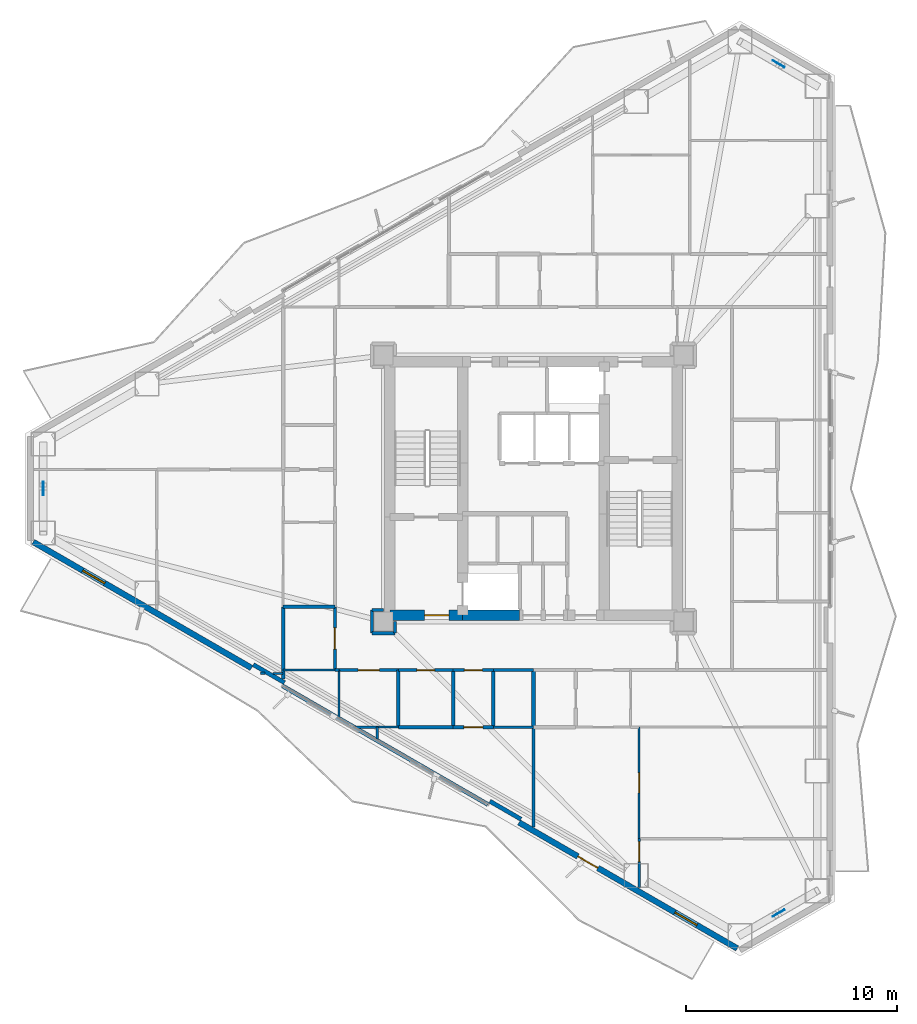
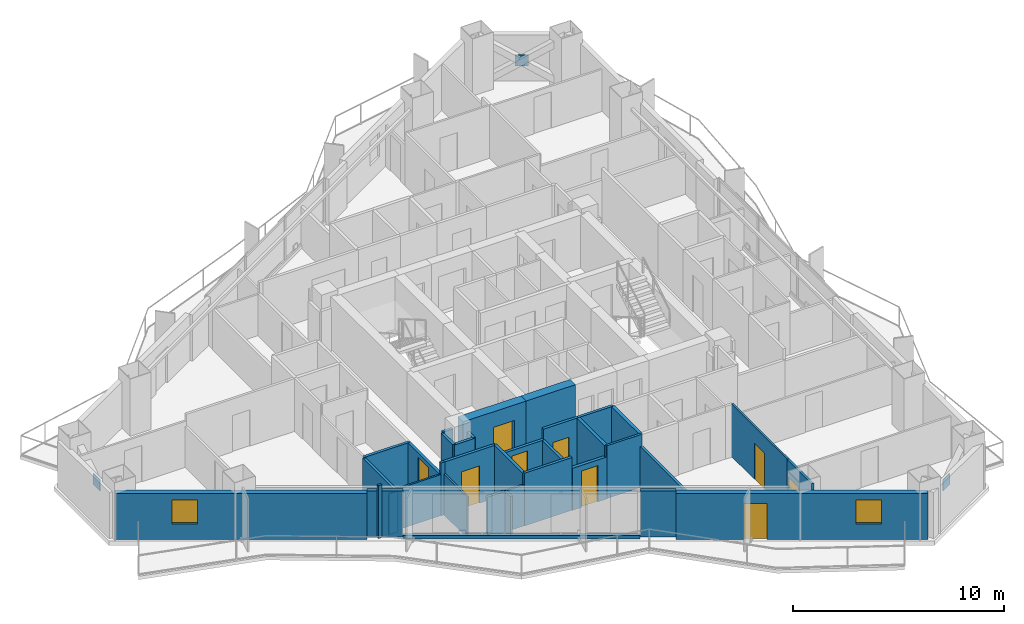
# One storey, part 15 of 23: 36 walls, 9 doors, 3 plates, 2 windows, 11 openings.
"""IFC4 building model written with IfcOpenShell, lengths in metres."""

from ifc_helpers import new_model, si_unit, direction, frame, frame_2d, origin, origin_2d, place, context, subcontext, project, spatial, rectangle, extrude, material, layer, layer_set, type_object, element, fill, save


model = new_model("IFC4")

# Units and contexts
model_context = context("Model", 3, precision=1e-05, world=origin(), true_north=direction((0.0, 1.0)))
body_context = subcontext(model_context, "Body", "Model", "MODEL_VIEW")
ifc_project = project(units=[si_unit("LENGTHUNIT", "METRE"), si_unit("AREAUNIT", "SQUARE_METRE"), si_unit("VOLUMEUNIT", "CUBIC_METRE"), si_unit("PLANEANGLEUNIT", "RADIAN"), si_unit("MASSUNIT", "GRAM", prefix="KILO")], contexts=[model_context])

# Site, building, storey
site_placement = place(None, origin())
site = spatial("IfcSite", under=ifc_project, at=site_placement, CompositionType="ELEMENT")
building_placement = place(site_placement, origin())
building = spatial("IfcBuilding", under=site, at=building_placement, Name="Mersakhor Tower and Convention Hall", CompositionType="ELEMENT")
storey_placement = place(building_placement, frame((0.0, 0.0, 73.5)))
storey = spatial("IfcBuildingStorey", under=building, at=storey_placement, Name="L19", CompositionType="ELEMENT", Elevation=73.5)

# Plates
ifc_material_1 = material(Name="Steel S460", Category="steel")
ifc_layer_1 = layer(ifc_material_1, 0.0400390625)
ifc_layer_set_1 = layer_set([ifc_layer_1], Name="Steel S460")
plate_type = type_object("IfcPlateType", Name="PL-GUSSET-40", PredefinedType="SHEET", material=ifc_layer_set_1)
for number, where, z_axis, x_axis, name in (
    (1, (40.606689453125, 46.853515625, 1.205078125), (0.0, 0.0, 1.0), (-0.866025403784, 0.5, 0.0), "L19 X-Brace Crossing Gusset Node Plate"),
    (2, (40.606689453125, 6.646728515625, 1.205078125), (0.0, 0.0, 1.0), (0.866025403784, 0.5, 0.0), "L19 X-Brace Crossing Gusset Node Plate"),
    (3, (5.78662109375, 26.75, 1.205078125), (0.0, 0.0, 1.0), (0.0, -1.0, 0.0), "L19 X-Brace Crossing Gusset Node Plate"),
):
    element("IfcPlate", number, at=place(storey_placement, frame(where, z_axis=z_axis, x_axis=x_axis)), inside=storey, type_object=plate_type, Name=name, PredefinedType="SHEET", context=body_context, shape_type="SweptSolid", body=[
        extrude(rectangle(XDim=0.639892578125, YDim=0.0400390625, at=origin_2d()), origin(), (0.0, 0.0, 1.0), 0.639892578125),
    ])

# Wall, openings, door, window
ifc_material_2 = material(Name="Precast concrete C45/55", Category="concrete")
ifc_layer_2 = layer(ifc_material_2, 0.27490234375)
ifc_layer_set_2 = layer_set([ifc_layer_2], Name="Precast concrete C45/55")
wall_type_1 = type_object("IfcWallType", Name="WL-EXT-275", PredefinedType="SOLIDWALL", material=ifc_layer_set_2)
wall_1_placement = place(storey_placement, frame((38.648681640625, 4.973388671875, 0.0), z_axis=(0.0, 0.0, 1.0), x_axis=(-0.866023023012, 0.500004123596, 0.0)))
wall_1 = element("IfcWall", 4, at=wall_1_placement, inside=storey, type_object=wall_type_1, Name="L19 Exterior Facade Wall F3-B1", PredefinedType="SOLIDWALL", context=body_context, shape_type="SweptSolid", body=[
    extrude(rectangle(XDim=11.9296875, YDim=0.27490234375, at=frame_2d((5.96484375, 0.0))), origin(), (0.0, 0.0, 1.0), 2.669921875),
])
opening_1_placement = place(wall_1_placement, frame((7.615966796875, 0.0, 0.0)))
opening_1 = element("IfcOpeningElement", 5, at=opening_1_placement, cuts=wall_1, Name="Opening BD-02", PredefinedType="OPENING", context=body_context, shape_type="SweptSolid", body=[
    extrude(rectangle(XDim=1.10009765625, YDim=2.10009765625, at=frame_2d((0.550048828125, 1.050048828125))), frame((0.0, 0.1474609375, 0.0), z_axis=(0.0, -1.0, 0.0), x_axis=(1.0, 0.0, 0.0)), (0.0, 0.0, 1.0), 0.294921875),
])
opening_2_placement = place(wall_1_placement, frame((2.20703125, 0.0, 0.89990234375)))
opening_2 = element("IfcOpeningElement", 6, at=opening_2_placement, cuts=wall_1, Name="Opening W-01", PredefinedType="OPENING", context=body_context, shape_type="SweptSolid", body=[
    extrude(rectangle(XDim=1.199951171875, YDim=1.39990234375, at=frame_2d((0.60009765625, 0.699951171875))), frame((0.0, 0.1474609375, 0.0), z_axis=(0.0, -1.0, 0.0), x_axis=(1.0, 0.0, 0.0)), (0.0, 0.0, 1.0), 0.294921875),
])
ifc_material_3 = material(Name="Thermally broken dark aluminium and safety glass", Category="aluminium")
door_type_1 = type_object("IfcDoorType", Name="DR-BAL-110x210", OperationType="NOTDEFINED", PredefinedType="DOOR", material=ifc_material_3)
door_1_placement = place(opening_1_placement, origin())
door_1 = element("IfcDoor", 7, at=door_1_placement, inside=storey, type_object=door_type_1, Name="L19 Balcony Terrace Door F3-B1", OperationType="SINGLE_SWING_RIGHT", OverallHeight=2.10009765625, OverallWidth=1.10009765625, PredefinedType="DOOR", context=body_context, shape_type="SweptSolid", body=[
    extrude(rectangle(XDim=1.10009765625, YDim=2.10009765625, at=frame_2d((0.550048828125, 1.050048828125))), frame((0.0, 0.02490234375, 0.0), z_axis=(0.0, -1.0, 0.0), x_axis=(1.0, 0.0, 0.0)), (0.0, 0.0, 1.0), 0.050048828125),
])
fill(opening_1, door_1)
ifc_material_4 = material(Name="Dark solar low-E glazed aluminium window", Category="aluminium")
window_type = type_object("IfcWindowType", Name="WN-RES-120x150", PartitioningType="SINGLE_PANEL", PredefinedType="WINDOW", material=ifc_material_4)
window_1_placement = place(opening_2_placement, origin())
window_1 = element("IfcWindow", 8, at=window_1_placement, inside=storey, type_object=window_type, Name="L19 Bedroom Facade Window F3-B1-1", OverallHeight=1.39990234375, OverallWidth=1.199951171875, PartitioningType="SINGLE_PANEL", PredefinedType="WINDOW", context=body_context, shape_type="SweptSolid", body=[
    extrude(rectangle(XDim=1.199951171875, YDim=1.39990234375, at=frame_2d((0.60009765625, 0.699951171875))), frame((0.0, 0.030029296875, 0.0), z_axis=(0.0, -1.0, 0.0), x_axis=(1.0, 0.0, 0.0)), (0.0, 0.0, 1.0), 0.06005859375),
])
fill(opening_2, window_1)

# Wall, opening, window
wall_2_placement = place(storey_placement, frame((15.64794921875, 18.2529296875, 0.0), z_axis=(0.0, 0.0, 1.0), x_axis=(-0.866023023012, 0.500004123596, 0.0)))
wall_2 = element("IfcWall", 9, at=wall_2_placement, inside=storey, type_object=wall_type_1, Name="L19 Exterior Facade Wall F3-B3", PredefinedType="SOLIDWALL", context=body_context, shape_type="SweptSolid", body=[
    extrude(rectangle(XDim=11.9296875, YDim=0.27490234375, at=frame_2d((5.96484375, 0.0))), origin(), (0.0, 0.0, 1.0), 2.669921875),
])
opening_3_placement = place(wall_2_placement, frame((8.02099609375, 0.0, 0.89990234375)))
opening_3 = element("IfcOpeningElement", 10, at=opening_3_placement, cuts=wall_2, Name="Opening W-01", PredefinedType="OPENING", context=body_context, shape_type="SweptSolid", body=[
    extrude(rectangle(XDim=1.199951171875, YDim=1.39990234375, at=frame_2d((0.60009765625, 0.699951171875))), frame((0.0, 0.1474609375, 0.0), z_axis=(0.0, -1.0, 0.0), x_axis=(1.0, 0.0, 0.0)), (0.0, 0.0, 1.0), 0.294921875),
])
window_2_placement = place(opening_3_placement, origin())
window_2 = element("IfcWindow", 11, at=window_2_placement, inside=storey, type_object=window_type, Name="L19 Bedroom Facade Window F3-B3-1", OverallHeight=1.39990234375, OverallWidth=1.199951171875, PartitioningType="SINGLE_PANEL", PredefinedType="WINDOW", context=body_context, shape_type="SweptSolid", body=[
    extrude(rectangle(XDim=1.199951171875, YDim=1.39990234375, at=frame_2d((0.60009765625, 0.699951171875))), frame((0.0, 0.030029296875, 0.0), z_axis=(0.0, -1.0, 0.0), x_axis=(1.0, 0.0, 0.0)), (0.0, 0.0, 1.0), 0.06005859375),
])
fill(opening_3, window_2)

# Walls
ifc_material_5 = material(Name="Precast concrete C40/50", Category="concrete")
ifc_layer_3 = layer(ifc_material_5, 0.199951171875)
ifc_layer_set_3 = layer_set([ifc_layer_3], Name="Precast concrete C40/50")
wall_type_2 = type_object("IfcWallType", Name="WL-PAR-200", PredefinedType="PARAPET", material=ifc_layer_set_3)
wall_3_placement = place(storey_placement, frame((26.84521484375, 11.788330078125, 0.0), z_axis=(0.0, 0.0, 1.0), x_axis=(-0.866027010039, 0.499997217876, 0.0)))
element("IfcWall", 12, at=wall_3_placement, inside=storey, type_object=wall_type_2, Name="L19 Curtain Wall Upstand Sill F3-B2", PredefinedType="PARAPET", context=body_context, shape_type="SweptSolid", body=[
    extrude(rectangle(XDim=11.2294921875, YDim=0.199951171875, at=frame_2d((5.61474609375, 0.0))), origin(), (0.0, 0.0, 1.0), 0.199951171875),
])
wall_4_placement = place(storey_placement, frame((28.407470703125, 11.09423828125, 0.0), z_axis=(0.0, 0.0, 1.0), x_axis=(-0.86605165483, 0.499954529098, 0.0)))
element("IfcWall", 13, at=wall_4_placement, inside=storey, type_object=wall_type_2, Name="L19 Column Pier Cladding Wall F3-C1", PredefinedType="PARAPET", context=body_context, shape_type="SweptSolid", body=[
    extrude(rectangle(XDim=1.699951171875, YDim=0.199951171875, at=frame_2d((0.85009765625, 0.0))), origin(), (0.0, 0.0, 1.0), 2.669921875),
])
wall_5_placement = place(storey_placement, frame((17.210205078125, 17.558837890625, 0.0), z_axis=(0.0, 0.0, 1.0), x_axis=(-0.866025371046, 0.500000056704, 0.0)))
element("IfcWall", 14, at=wall_5_placement, inside=storey, type_object=wall_type_2, Name="L19 Column Pier Cladding Wall F3-C2", PredefinedType="PARAPET", context=body_context, shape_type="SweptSolid", body=[
    extrude(rectangle(XDim=1.7001953125, YDim=0.199951171875, at=frame_2d((0.85009765625, 0.0))), origin(), (0.0, 0.0, 1.0), 2.669921875),
])

# Wall, opening, door
ifc_material_6 = material(Name="Moisture-resistant acoustic drywall studwork", Category="other")
ifc_layer_4 = layer(ifc_material_6, 0.175048828125)
ifc_layer_set_4 = layer_set([ifc_layer_4], Name="Moisture-resistant acoustic drywall studwork")
wall_type_3 = type_object("IfcWallType", Name="WL-PLM-175", PredefinedType="PLUMBINGWALL", material=ifc_layer_set_4)
wall_6_placement = place(storey_placement, frame((27.10009765625, 15.449951171875, 0.0), z_axis=(0.0, 0.0, 1.0), x_axis=(-1.0, 0.0, 0.0)))
wall_6 = element("IfcWall", 15, at=wall_6_placement, inside=storey, type_object=wall_type_3, Name="L19 Interior Partition Wall P-086", PredefinedType="PLUMBINGWALL", context=body_context, shape_type="SweptSolid", body=[
    extrude(rectangle(XDim=1.900146484375, YDim=0.175048828125, at=frame_2d((0.9501953125, 0.0))), origin(), (0.0, 0.0, 1.0), 2.4228515625),
])
opening_4_placement = place(wall_6_placement, frame((0.5, 0.0, 0.0)))
opening_4 = element("IfcOpeningElement", 16, at=opening_4_placement, cuts=wall_6, Name="Opening WD-01", PredefinedType="OPENING", context=body_context, shape_type="SweptSolid", body=[
    extrude(rectangle(XDim=0.89990234375, YDim=2.10009765625, at=frame_2d((0.449951171875, 1.050048828125))), frame((0.0, 0.097412109375, 0.0), z_axis=(0.0, -1.0, 0.0), x_axis=(1.0, 0.0, 0.0)), (0.0, 0.0, 1.0), 0.195068359375),
])
ifc_material_7 = material(Name="Solid-core hardwood leaf in painted steel frame", Category="steel")
door_type_2 = type_object("IfcDoorType", Name="DR-INT-WET-090x210", OperationType="NOTDEFINED", PredefinedType="DOOR", material=ifc_material_7)
door_2_placement = place(opening_4_placement, origin())
door_2 = element("IfcDoor", 17, at=door_2_placement, inside=storey, type_object=door_type_2, Name="L19 L19 Floor Shared Restroom WC 2-2 to L19 Floor Residents Study Room 2-4 Door", OperationType="SINGLE_SWING_LEFT", OverallHeight=2.10009765625, OverallWidth=0.89990234375, PredefinedType="DOOR", context=body_context, shape_type="SweptSolid", body=[
    extrude(rectangle(XDim=0.89990234375, YDim=2.10009765625, at=frame_2d((0.449951171875, 1.050048828125))), frame((0.0, 0.02490234375, 0.0), z_axis=(0.0, -1.0, 0.0), x_axis=(1.0, 0.0, 0.0)), (0.0, 0.0, 1.0), 0.050048828125),
])
fill(opening_4, door_2)

# Walls
for number, where, z_axis, x_axis, name in (
    (18, (27.10009765625, 18.14990234375, 0.0), (0.0, 0.0, 1.0), (0.0, -1.0, 0.0), "L19 Interior Partition Wall P-088"),
    (19, (29.0, 15.449951171875, 0.0), (0.0, 0.0, 1.0), (0.0, 1.0, 0.0), "L19 Interior Partition Wall P-090"),
):
    element("IfcWall", number, at=place(storey_placement, frame(where, z_axis=z_axis, x_axis=x_axis)), inside=storey, type_object=wall_type_3, Name=name, PredefinedType="PLUMBINGWALL", context=body_context, shape_type="SweptSolid", body=[
        extrude(rectangle(XDim=2.699951171875, YDim=0.175048828125, at=frame_2d((1.35009765625, 0.0))), origin(), (0.0, 0.0, 1.0), 3.050048828125),
    ])
ifc_material_8 = material(Name="Lightweight gypsum partition", Category="other")
ifc_layer_5 = layer(ifc_material_8, 0.10009765625)
ifc_layer_set_5 = layer_set([ifc_layer_5], Name="Lightweight gypsum partition")
wall_type_4 = type_object("IfcWallType", Name="WL-PRT-100", PredefinedType="PARTITIONING", material=ifc_layer_set_5)
wall_7_placement = place(storey_placement, frame((19.60009765625, 18.14990234375, 0.0), z_axis=(0.0, 0.0, 1.0), x_axis=(-1.0, 0.0, 0.0)))
element("IfcWall", 20, at=wall_7_placement, inside=storey, type_object=wall_type_4, Name="L19 Interior Partition Wall P-108", PredefinedType="PARTITIONING", context=body_context, shape_type="SweptSolid", body=[
    extrude(rectangle(XDim=2.4501953125, YDim=0.10009765625, at=frame_2d((1.22509765625, 0.0))), origin(), (0.0, 0.0, 1.0), 2.364990234375),
])
wall_8_placement = place(storey_placement, frame((22.60009765625, 15.449951171875, 0.0), z_axis=(0.0, 0.0, 1.0), x_axis=(-1.0, 0.0, 0.0)))
element("IfcWall", 21, at=wall_8_placement, inside=storey, type_object=wall_type_4, Name="L19 Interior Partition Wall P-122", PredefinedType="PARTITIONING", context=body_context, shape_type="SweptSolid", body=[
    extrude(rectangle(XDim=1.0, YDim=0.10009765625, at=frame_2d((0.5, 0.0))), origin(), (0.0, 0.0, 1.0), 2.364990234375),
])
wall_9_placement = place(storey_placement, frame((19.800048828125, 15.8974609375, 0.0), z_axis=(0.0, 0.0, 1.0), x_axis=(0.0, 1.0, 0.0)))
element("IfcWall", 22, at=wall_9_placement, inside=storey, type_object=wall_type_4, Name="L19 Interior Partition Wall P-124", PredefinedType="PARTITIONING", context=body_context, shape_type="SweptSolid", body=[
    extrude(rectangle(XDim=2.25244140625, YDim=0.10009765625, at=frame_2d((1.126220703125, 0.0))), origin(), (0.0, 0.0, 1.0), 2.364990234375),
])

# Wall, opening, door
wall_10_placement = place(storey_placement, frame((34.0, 15.449951171875, 0.0), z_axis=(0.0, 0.0, 1.0), x_axis=(0.0, -1.0, 0.0)))
wall_10 = element("IfcWall", 23, at=wall_10_placement, inside=storey, type_object=wall_type_4, Name="L19 Interior Partition Wall P-128", PredefinedType="PARTITIONING", context=body_context, shape_type="SweptSolid", body=[
    extrude(rectangle(XDim=5.280029296875, YDim=0.10009765625, at=frame_2d((2.64013671875, 0.0))), origin(), (0.0, 0.0, 1.0), 3.050048828125),
])
opening_5_placement = place(wall_10_placement, frame((2.1650390625, 0.0, 0.0)))
opening_5 = element("IfcOpeningElement", 24, at=opening_5_placement, cuts=wall_10, Name="Opening RD-01", PredefinedType="OPENING", context=body_context, shape_type="SweptSolid", body=[
    extrude(rectangle(XDim=0.949951171875, YDim=2.10009765625, at=frame_2d((0.47509765625, 1.050048828125))), frame((0.0, 0.06005859375, 0.0), z_axis=(0.0, -1.0, 0.0), x_axis=(1.0, 0.0, 0.0)), (0.0, 0.0, 1.0), 0.1201171875),
])
ifc_material_9 = material(Name="Solid-core hardwood leaf in painted steel frame", Category="steel")
door_type_3 = type_object("IfcDoorType", Name="DR-INT-RM-095x210", OperationType="NOTDEFINED", PredefinedType="DOOR", material=ifc_material_9)
door_3_placement = place(opening_5_placement, origin())
door_3 = element("IfcDoor", 25, at=door_3_placement, inside=storey, type_object=door_type_3, Name="L19 L19 Flat S3 Living and Dining Room to L19 Flat S3 Dining Room Door", OperationType="SINGLE_SWING_RIGHT", OverallHeight=2.10009765625, OverallWidth=0.949951171875, PredefinedType="DOOR", context=body_context, shape_type="SweptSolid", body=[
    extrude(rectangle(XDim=0.949951171875, YDim=2.10009765625, at=frame_2d((0.47509765625, 1.050048828125))), frame((0.0, 0.02490234375, 0.0), z_axis=(0.0, -1.0, 0.0), x_axis=(1.0, 0.0, 0.0)), (0.0, 0.0, 1.0), 0.050048828125),
])
fill(opening_5, door_3)

# Walls
wall_11_placement = place(storey_placement, frame((17.14990234375, 18.0, 0.0), z_axis=(0.0, 0.0, 1.0), x_axis=(-1.0, 0.0, 0.0)))
element("IfcWall", 26, at=wall_11_placement, inside=storey, type_object=wall_type_4, Name="L19 Interior Partition Wall P-136", PredefinedType="PARTITIONING", context=body_context, shape_type="SweptSolid", body=[
    extrude(rectangle(XDim=0.478271484375, YDim=0.10009765625, at=frame_2d((0.2392578125, 0.0))), origin(), (0.0, 0.0, 1.0), 2.364990234375),
])
ifc_material_10 = material(Name="Gypsum board acoustic partition", Category="other")
ifc_layer_6 = layer(ifc_material_10, 0.125)
ifc_layer_set_6 = layer_set([ifc_layer_6], Name="Gypsum board acoustic partition")
wall_type_5 = type_object("IfcWallType", Name="WL-PRT-125", PredefinedType="PARTITIONING", material=ifc_layer_set_6)
wall_12_placement = place(storey_placement, frame((21.60009765625, 15.449951171875, 0.0), z_axis=(0.0, 0.0, 1.0), x_axis=(-1.0, 0.0, 0.0)))
element("IfcWall", 27, at=wall_12_placement, inside=storey, type_object=wall_type_5, Name="L19 Interior Partition Wall P-123", PredefinedType="PARTITIONING", context=body_context, shape_type="SweptSolid", body=[
    extrude(rectangle(XDim=1.03173828125, YDim=0.125, at=frame_2d((0.515869140625, 0.0))), origin(), (0.0, 0.0, 1.0), 2.364990234375),
])
wall_13_placement = place(storey_placement, frame((27.10009765625, 15.449951171875, 0.0), z_axis=(0.0, 0.0, 1.0), x_axis=(1.0, 0.0, 0.0)))
element("IfcWall", 28, at=wall_13_placement, inside=storey, type_object=wall_type_5, Name="L19 Interior Partition Wall P-125", PredefinedType="PARTITIONING", context=body_context, shape_type="SweptSolid", body=[
    extrude(rectangle(XDim=1.89990234375, YDim=0.125, at=frame_2d((0.949951171875, 0.0))), origin(), (0.0, 0.0, 1.0), 3.050048828125),
])
wall_14_placement = place(storey_placement, frame((21.60009765625, 14.88818359375, 0.0), z_axis=(0.0, 0.0, 1.0), x_axis=(0.0, 1.0, 0.0)))
element("IfcWall", 29, at=wall_14_placement, inside=storey, type_object=wall_type_5, Name="L19 Interior Partition Wall P-127", PredefinedType="PARTITIONING", context=body_context, shape_type="SweptSolid", body=[
    extrude(rectangle(XDim=0.561767578125, YDim=0.125, at=frame_2d((0.28076171875, 0.0))), origin(), (0.0, 0.0, 1.0), 2.364990234375),
])

# Wall, opening, door
wall_15_placement = place(storey_placement, frame((34.0, 10.169921875, 0.0), z_axis=(0.0, 0.0, 1.0), x_axis=(0.0, -1.0, 0.0)))
wall_15 = element("IfcWall", 30, at=wall_15_placement, inside=storey, type_object=wall_type_5, Name="L19 Interior Partition Wall P-129", PredefinedType="PARTITIONING", context=body_context, shape_type="SweptSolid", body=[
    extrude(rectangle(XDim=2.325927734375, YDim=0.125, at=frame_2d((1.1630859375, 0.0))), origin(), (0.0, 0.0, 1.0), 3.050048828125),
])
opening_6_placement = place(wall_15_placement, frame((0.140869140625, 0.0, 0.0)))
opening_6 = element("IfcOpeningElement", 31, at=opening_6_placement, cuts=wall_15, Name="Opening RD-01", PredefinedType="OPENING", context=body_context, shape_type="SweptSolid", body=[
    extrude(rectangle(XDim=0.949951171875, YDim=2.10009765625, at=frame_2d((0.47509765625, 1.050048828125))), frame((0.0, 0.072509765625, 0.0), z_axis=(0.0, -1.0, 0.0), x_axis=(1.0, 0.0, 0.0)), (0.0, 0.0, 1.0), 0.14501953125),
])
door_4_placement = place(opening_6_placement, origin())
door_4 = element("IfcDoor", 32, at=door_4_placement, inside=storey, type_object=door_type_3, Name="L19 L19 Flat S3 Living and Dining Room to L19 Flat S3 Bedroom 1 Door", OperationType="SINGLE_SWING_LEFT", OverallHeight=2.10009765625, OverallWidth=0.949951171875, PredefinedType="DOOR", context=body_context, shape_type="SweptSolid", body=[
    extrude(rectangle(XDim=0.949951171875, YDim=2.10009765625, at=frame_2d((0.47509765625, 1.050048828125))), frame((0.0, 0.02490234375, 0.0), z_axis=(0.0, -1.0, 0.0), x_axis=(1.0, 0.0, 0.0)), (0.0, 0.0, 1.0), 0.050048828125),
])
fill(opening_6, door_4)

# Walls
wall_16_placement = place(storey_placement, frame((16.2861328125, 18.0, 0.0), z_axis=(0.0, 0.0, 1.0), x_axis=(-1.0, 0.0, 0.0)))
element("IfcWall", 33, at=wall_16_placement, inside=storey, type_object=wall_type_5, Name="L19 Interior Partition Wall P-137", PredefinedType="PARTITIONING", context=body_context, shape_type="SweptSolid", body=[
    extrude(rectangle(XDim=0.2001953125, YDim=0.125, at=frame_2d((0.10009765625, 0.0))), origin(), (0.0, 0.0, 1.0), 3.050048828125),
])
ifc_material_11 = material(Name="Fire-rated gypsum board stud partition", Category="other")
ifc_layer_7 = layer(ifc_material_11, 0.14990234375)
ifc_layer_set_7 = layer_set([ifc_layer_7], Name="Fire-rated gypsum board stud partition")
wall_type_6 = type_object("IfcWallType", Name="WL-PRT-150", PredefinedType="PARTITIONING", material=ifc_layer_set_7)
wall_17_placement = place(storey_placement, frame((21.35009765625, 19.89990234375, 0.0), z_axis=(0.0, 0.0, 1.0), x_axis=(1.0, 0.0, 0.0)))
element("IfcWall", 34, at=wall_17_placement, inside=storey, type_object=wall_type_6, Name="L19 Interior Partition Wall P-019", PredefinedType="PARTITIONING", context=body_context, shape_type="SweptSolid", body=[
    extrude(rectangle(XDim=1.099853515625, YDim=0.14990234375, at=frame_2d((0.5498046875, 0.0))), origin(), (0.0, 0.0, 1.0), 2.4228515625),
])
wall_18_placement = place(storey_placement, frame((22.449951171875, 19.89990234375, 0.0), z_axis=(0.0, 0.0, 1.0), x_axis=(0.0, 1.0, 0.0)))
element("IfcWall", 35, at=wall_18_placement, inside=storey, type_object=wall_type_6, Name="L19 Interior Partition Wall P-020", PredefinedType="PARTITIONING", context=body_context, shape_type="SweptSolid", body=[
    extrude(rectangle(XDim=0.550048828125, YDim=0.14990234375, at=frame_2d((0.27490234375, 0.0))), origin(), (0.0, 0.0, 1.0), 2.4228515625),
])
wall_19_placement = place(storey_placement, frame((29.0, 18.14990234375, 0.0), z_axis=(0.0, 0.0, 1.0), x_axis=(-1.0, 0.0, 0.0)))
element("IfcWall", 36, at=wall_19_placement, inside=storey, type_object=wall_type_6, Name="L19 Interior Partition Wall P-027", PredefinedType="PARTITIONING", context=body_context, shape_type="SweptSolid", body=[
    extrude(rectangle(XDim=1.89990234375, YDim=0.14990234375, at=frame_2d((0.949951171875, 0.0))), origin(), (0.0, 0.0, 1.0), 3.050048828125),
])

# Wall, opening, door
wall_20_placement = place(storey_placement, frame((27.10009765625, 18.14990234375, 0.0), z_axis=(0.0, 0.0, 1.0), x_axis=(-1.0, 0.0, 0.0)))
wall_20 = element("IfcWall", 37, at=wall_20_placement, inside=storey, type_object=wall_type_6, Name="L19 Interior Partition Wall P-028", PredefinedType="PARTITIONING", context=body_context, shape_type="SweptSolid", body=[
    extrude(rectangle(XDim=1.900146484375, YDim=0.14990234375, at=frame_2d((0.9501953125, 0.0))), origin(), (0.0, 0.0, 1.0), 3.050048828125),
])
opening_7_placement = place(wall_20_placement, frame((0.52490234375, 0.0, 0.0)))
opening_7 = element("IfcOpeningElement", 38, at=opening_7_placement, cuts=wall_20, Name="Opening SVD-01", PredefinedType="OPENING", context=body_context, shape_type="SweptSolid", body=[
    extrude(rectangle(XDim=0.85009765625, YDim=2.10009765625, at=frame_2d((0.425048828125, 1.050048828125))), frame((0.0, 0.0849609375, 0.0), z_axis=(0.0, -1.0, 0.0), x_axis=(1.0, 0.0, 0.0)), (0.0, 0.0, 1.0), 0.169921875),
])
ifc_material_12 = material(Name="Fire-rated hardwood leaf and painted steel frame", Category="steel")
door_type_4 = type_object("IfcDoorType", Name="DR-INT-SVC-085x210", OperationType="NOTDEFINED", PredefinedType="DOOR", material=ifc_material_12)
door_5_placement = place(opening_7_placement, origin())
door_5 = element("IfcDoor", 39, at=door_5_placement, inside=storey, type_object=door_type_4, Name="L19 Residential Ring Corridor to L19 Floor Shared Restroom WC 2-2 Door", OperationType="SINGLE_SWING_RIGHT", OverallHeight=2.10009765625, OverallWidth=0.85009765625, PredefinedType="DOOR", context=body_context, shape_type="SweptSolid", body=[
    extrude(rectangle(XDim=0.85009765625, YDim=2.10009765625, at=frame_2d((0.425048828125, 1.050048828125))), frame((0.0, 0.02490234375, 0.0), z_axis=(0.0, -1.0, 0.0), x_axis=(1.0, 0.0, 0.0)), (0.0, 0.0, 1.0), 0.050048828125),
])
fill(opening_7, door_5)

wall_21_placement = place(storey_placement, frame((25.199951171875, 18.14990234375, 0.0), z_axis=(0.0, 0.0, 1.0), x_axis=(-1.0, 0.0, 0.0)))
wall_21 = element("IfcWall", 40, at=wall_21_placement, inside=storey, type_object=wall_type_6, Name="L19 Interior Partition Wall P-029", PredefinedType="PARTITIONING", context=body_context, shape_type="SweptSolid", body=[
    extrude(rectangle(XDim=2.599853515625, YDim=0.14990234375, at=frame_2d((1.2998046875, 0.0))), origin(), (0.0, 0.0, 1.0), 2.4228515625),
])
opening_8_placement = place(wall_21_placement, frame((0.875, 0.0, 0.0)))
opening_8 = element("IfcOpeningElement", 41, at=opening_8_placement, cuts=wall_21, Name="Opening SVD-01", PredefinedType="OPENING", context=body_context, shape_type="SweptSolid", body=[
    extrude(rectangle(XDim=0.85009765625, YDim=2.10009765625, at=frame_2d((0.425048828125, 1.050048828125))), frame((0.0, 0.0849609375, 0.0), z_axis=(0.0, -1.0, 0.0), x_axis=(1.0, 0.0, 0.0)), (0.0, 0.0, 1.0), 0.169921875),
])
door_6_placement = place(opening_8_placement, origin())
door_6 = element("IfcDoor", 42, at=door_6_placement, inside=storey, type_object=door_type_4, Name="L19 Residential Ring Corridor to L19 Floor Household Store Room 2-1 Door", OperationType="SINGLE_SWING_RIGHT", OverallHeight=2.10009765625, OverallWidth=0.85009765625, PredefinedType="DOOR", context=body_context, shape_type="SweptSolid", body=[
    extrude(rectangle(XDim=0.85009765625, YDim=2.10009765625, at=frame_2d((0.425048828125, 1.050048828125))), frame((0.0, 0.02490234375, 0.0), z_axis=(0.0, -1.0, 0.0), x_axis=(1.0, 0.0, 0.0)), (0.0, 0.0, 1.0), 0.050048828125),
])
fill(opening_8, door_6)

wall_22_placement = place(storey_placement, frame((22.60009765625, 18.14990234375, 0.0), z_axis=(0.0, 0.0, 1.0), x_axis=(-1.0, 0.0, 0.0)))
wall_22 = element("IfcWall", 43, at=wall_22_placement, inside=storey, type_object=wall_type_6, Name="L19 Interior Partition Wall P-030", PredefinedType="PARTITIONING", context=body_context, shape_type="SweptSolid", body=[
    extrude(rectangle(XDim=2.800048828125, YDim=0.14990234375, at=frame_2d((1.39990234375, 0.0))), origin(), (0.0, 0.0, 1.0), 3.050048828125),
])
opening_9_placement = place(wall_22_placement, frame((0.89990234375, 0.0, 0.0)))
opening_9 = element("IfcOpeningElement", 44, at=opening_9_placement, cuts=wall_22, Name="Opening FD-01", PredefinedType="OPENING", context=body_context, shape_type="SweptSolid", body=[
    extrude(rectangle(XDim=1.0, YDim=2.14990234375, at=frame_2d((0.5, 1.074951171875))), frame((0.0, 0.0849609375, 0.0), z_axis=(0.0, -1.0, 0.0), x_axis=(1.0, 0.0, 0.0)), (0.0, 0.0, 1.0), 0.169921875),
])
ifc_material_13 = material(Name="Fire-rated hardwood leaf and painted steel frame", Category="steel")
door_type_5 = type_object("IfcDoorType", Name="DR-INT-FLT-100x215", OperationType="NOTDEFINED", PredefinedType="DOOR", material=ifc_material_13)
door_7_placement = place(opening_9_placement, origin())
door_7 = element("IfcDoor", 45, at=door_7_placement, inside=storey, type_object=door_type_5, Name="L19 Residential Ring Corridor to L19 Floor Shared Tea Pantry 2-3 Door", OperationType="SINGLE_SWING_LEFT", OverallHeight=2.14990234375, OverallWidth=1.0, PredefinedType="DOOR", context=body_context, shape_type="SweptSolid", body=[
    extrude(rectangle(XDim=1.0, YDim=2.14990234375, at=frame_2d((0.5, 1.074951171875))), frame((0.0, 0.02490234375, 0.0), z_axis=(0.0, -1.0, 0.0), x_axis=(1.0, 0.0, 0.0)), (0.0, 0.0, 1.0), 0.050048828125),
])
fill(opening_9, door_7)

# Wall
wall_23_placement = place(storey_placement, frame((19.800048828125, 18.14990234375, 0.0), z_axis=(0.0, 0.0, 1.0), x_axis=(-1.0, 0.0, 0.0)))
element("IfcWall", 46, at=wall_23_placement, inside=storey, type_object=wall_type_6, Name="L19 Interior Partition Wall P-031", PredefinedType="PARTITIONING", context=body_context, shape_type="SweptSolid", body=[
    extrude(rectangle(XDim=0.199951171875, YDim=0.14990234375, at=frame_2d((0.10009765625, 0.0))), origin(), (0.0, 0.0, 1.0), 3.050048828125),
])

# Wall, opening, door
wall_24_placement = place(storey_placement, frame((19.60009765625, 18.14990234375, 0.0), z_axis=(0.0, 0.0, 1.0), x_axis=(0.0, 1.0, 0.0)))
wall_24 = element("IfcWall", 47, at=wall_24_placement, inside=storey, type_object=wall_type_6, Name="L19 Interior Partition Wall P-032", PredefinedType="PARTITIONING", context=body_context, shape_type="SweptSolid", body=[
    extrude(rectangle(XDim=3.0, YDim=0.14990234375, at=frame_2d((1.5, 0.0))), origin(), (0.0, 0.0, 1.0), 2.4228515625),
])
opening_10_placement = place(wall_24_placement, frame((1.0, 0.0, 0.0)))
opening_10 = element("IfcOpeningElement", 48, at=opening_10_placement, cuts=wall_24, Name="Opening FD-01", PredefinedType="OPENING", context=body_context, shape_type="SweptSolid", body=[
    extrude(rectangle(XDim=1.0, YDim=2.14990234375, at=frame_2d((0.5, 1.074951171875))), frame((0.0, 0.0849609375, 0.0), z_axis=(0.0, -1.0, 0.0), x_axis=(1.0, 0.0, 0.0)), (0.0, 0.0, 1.0), 0.169921875),
])
door_8_placement = place(opening_10_placement, origin())
door_8 = element("IfcDoor", 49, at=door_8_placement, inside=storey, type_object=door_type_5, Name="L19 Residential Ring Corridor to L19 West Wing Shared Laundry Room Door", OperationType="SINGLE_SWING_LEFT", OverallHeight=2.14990234375, OverallWidth=1.0, PredefinedType="DOOR", context=body_context, shape_type="SweptSolid", body=[
    extrude(rectangle(XDim=1.0, YDim=2.14990234375, at=frame_2d((0.5, 1.074951171875))), frame((0.0, 0.02490234375, 0.0), z_axis=(0.0, -1.0, 0.0), x_axis=(1.0, 0.0, 0.0)), (0.0, 0.0, 1.0), 0.050048828125),
])
fill(opening_10, door_8)

# Walls
wall_25_placement = place(storey_placement, frame((21.89990234375, 21.0, 0.0), z_axis=(0.0, 0.0, 1.0), x_axis=(-1.0, 0.0, 0.0)))
element("IfcWall", 50, at=wall_25_placement, inside=storey, type_object=wall_type_6, Name="L19 Interior Partition Wall P-051", PredefinedType="PARTITIONING", context=body_context, shape_type="SweptSolid", body=[
    extrude(rectangle(XDim=0.5498046875, YDim=0.14990234375, at=frame_2d((0.27490234375, 0.0))), origin(), (0.0, 0.0, 1.0), 2.498291015625),
])
wall_26_placement = place(storey_placement, frame((21.35009765625, 21.0, 0.0), z_axis=(0.0, 0.0, 1.0), x_axis=(0.0, -1.0, 0.0)))
element("IfcWall", 51, at=wall_26_placement, inside=storey, type_object=wall_type_6, Name="L19 Interior Partition Wall P-052", PredefinedType="PARTITIONING", context=body_context, shape_type="SweptSolid", body=[
    extrude(rectangle(XDim=1.10009765625, YDim=0.14990234375, at=frame_2d((0.550048828125, 0.0))), origin(), (0.0, 0.0, 1.0), 2.4228515625),
])
wall_27_placement = place(storey_placement, frame((25.199951171875, 15.449951171875, 0.0), z_axis=(0.0, 0.0, 1.0), x_axis=(0.0, 1.0, 0.0)))
element("IfcWall", 52, at=wall_27_placement, inside=storey, type_object=wall_type_6, Name="L19 Interior Partition Wall P-087", PredefinedType="PARTITIONING", context=body_context, shape_type="SweptSolid", body=[
    extrude(rectangle(XDim=2.699951171875, YDim=0.14990234375, at=frame_2d((1.35009765625, 0.0))), origin(), (0.0, 0.0, 1.0), 2.4228515625),
])
wall_28_placement = place(storey_placement, frame((19.60009765625, 21.14990234375, 0.0), z_axis=(0.0, 0.0, 1.0), x_axis=(-1.0, 0.0, 0.0)))
element("IfcWall", 53, at=wall_28_placement, inside=storey, type_object=wall_type_6, Name="L19 Interior Partition Wall P-097", PredefinedType="PARTITIONING", context=body_context, shape_type="SweptSolid", body=[
    extrude(rectangle(XDim=2.4501953125, YDim=0.14990234375, at=frame_2d((1.22509765625, 0.0))), origin(), (0.0, 0.0, 1.0), 2.4228515625),
])
wall_29_placement = place(storey_placement, frame((17.14990234375, 17.73681640625, 0.0), z_axis=(0.0, 0.0, 1.0), x_axis=(0.0, 1.0, 0.0)))
element("IfcWall", 54, at=wall_29_placement, inside=storey, type_object=wall_type_6, Name="L19 Interior Partition Wall P-107", PredefinedType="PARTITIONING", context=body_context, shape_type="SweptSolid", body=[
    extrude(rectangle(XDim=3.4130859375, YDim=0.14990234375, at=frame_2d((1.70654296875, 0.0))), origin(), (0.0, 0.0, 1.0), 2.364990234375),
])
wall_30_placement = place(storey_placement, frame((25.199951171875, 15.449951171875, 0.0), z_axis=(0.0, 0.0, 1.0), x_axis=(-1.0, 0.0, 0.0)))
element("IfcWall", 55, at=wall_30_placement, inside=storey, type_object=wall_type_6, Name="L19 Interior Partition Wall P-120", PredefinedType="PARTITIONING", context=body_context, shape_type="SweptSolid", body=[
    extrude(rectangle(XDim=2.599853515625, YDim=0.14990234375, at=frame_2d((1.2998046875, 0.0))), origin(), (0.0, 0.0, 1.0), 3.050048828125),
])
wall_31_placement = place(storey_placement, frame((22.60009765625, 15.449951171875, 0.0), z_axis=(0.0, 0.0, 1.0), x_axis=(0.0, 1.0, 0.0)))
element("IfcWall", 56, at=wall_31_placement, inside=storey, type_object=wall_type_6, Name="L19 Interior Partition Wall P-121", PredefinedType="PARTITIONING", context=body_context, shape_type="SweptSolid", body=[
    extrude(rectangle(XDim=2.699951171875, YDim=0.14990234375, at=frame_2d((1.35009765625, 0.0))), origin(), (0.0, 0.0, 1.0), 3.050048828125),
])
wall_32_placement = place(storey_placement, frame((29.0, 15.449951171875, 0.0), z_axis=(0.0, 0.0, 1.0), x_axis=(0.0, -1.0, 0.0)))
element("IfcWall", 57, at=wall_32_placement, inside=storey, type_object=wall_type_6, Name="L19 Interior Partition Wall P-126", PredefinedType="PARTITIONING", context=body_context, shape_type="SweptSolid", body=[
    extrude(rectangle(XDim=4.71923828125, YDim=0.14990234375, at=frame_2d((2.359619140625, 0.0))), origin(), (0.0, 0.0, 1.0), 2.364990234375),
])
ifc_material_14 = material(Name="Concrete C70/85", Category="concrete")
ifc_layer_8 = layer(ifc_material_14, 0.5)
ifc_layer_set_8 = layer_set([ifc_layer_8], Name="Concrete C70/85")
wall_type_7 = type_object("IfcWallType", Name="WL-SHR-500", PredefinedType="SHEAR", material=ifc_layer_set_8)
wall_33_placement = place(storey_placement, frame((28.35009765625, 20.75, 0.0), z_axis=(0.0, 0.0, 1.0), x_axis=(-1.0, 0.0, 0.0)))
element("IfcWall", 58, at=wall_33_placement, inside=storey, type_object=wall_type_7, Name="L19 Core Wall CW-S3", PredefinedType="SHEAR", context=body_context, shape_type="SweptSolid", body=[
    extrude(rectangle(XDim=2.7001953125, YDim=0.5, at=frame_2d((1.35009765625, 0.0))), origin(), (0.0, 0.0, 1.0), 3.050048828125),
])

# Wall, opening, door
wall_34_placement = place(storey_placement, frame((25.64990234375, 20.75, 0.0), z_axis=(0.0, 0.0, 1.0), x_axis=(-1.0, 0.0, 0.0)))
wall_34 = element("IfcWall", 59, at=wall_34_placement, inside=storey, type_object=wall_type_7, Name="L19 Core Wall CW-S4", PredefinedType="SHEAR", context=body_context, shape_type="SweptSolid", body=[
    extrude(rectangle(XDim=3.449951171875, YDim=0.5, at=frame_2d((1.72509765625, 0.0))), origin(), (0.0, 0.0, 1.0), 3.050048828125),
])
opening_11_placement = place(wall_34_placement, frame((0.64990234375, 0.0, 0.0)))
opening_11 = element("IfcOpeningElement", 60, at=opening_11_placement, cuts=wall_34, Name="Opening SD-01", PredefinedType="OPENING", context=body_context, shape_type="SweptSolid", body=[
    extrude(rectangle(XDim=1.14990234375, YDim=2.14990234375, at=frame_2d((0.574951171875, 1.074951171875))), frame((0.0, 0.260009765625, 0.0), z_axis=(0.0, -1.0, 0.0), x_axis=(1.0, 0.0, 0.0)), (0.0, 0.0, 1.0), 0.52001953125),
])
ifc_material_15 = material(Name="Fire-rated hardwood leaf and painted steel frame", Category="steel")
door_type_6 = type_object("IfcDoorType", Name="DR-INT-STAIR-115x215", OperationType="NOTDEFINED", PredefinedType="DOOR", material=ifc_material_15)
door_9_placement = place(opening_11_placement, origin())
door_9 = element("IfcDoor", 61, at=door_9_placement, inside=storey, type_object=door_type_6, Name="L19 Firefighting Lobby West Fire Door", OperationType="SINGLE_SWING_LEFT", OverallHeight=2.14990234375, OverallWidth=1.14990234375, PredefinedType="DOOR", context=body_context, shape_type="SweptSolid", body=[
    extrude(rectangle(XDim=1.14990234375, YDim=2.14990234375, at=frame_2d((0.574951171875, 1.074951171875))), frame((0.0, 0.02490234375, 0.0), z_axis=(0.0, -1.0, 0.0), x_axis=(1.0, 0.0, 0.0)), (0.0, 0.0, 1.0), 0.050048828125),
])
fill(opening_11, door_9)

save(model, "model.ifc")
